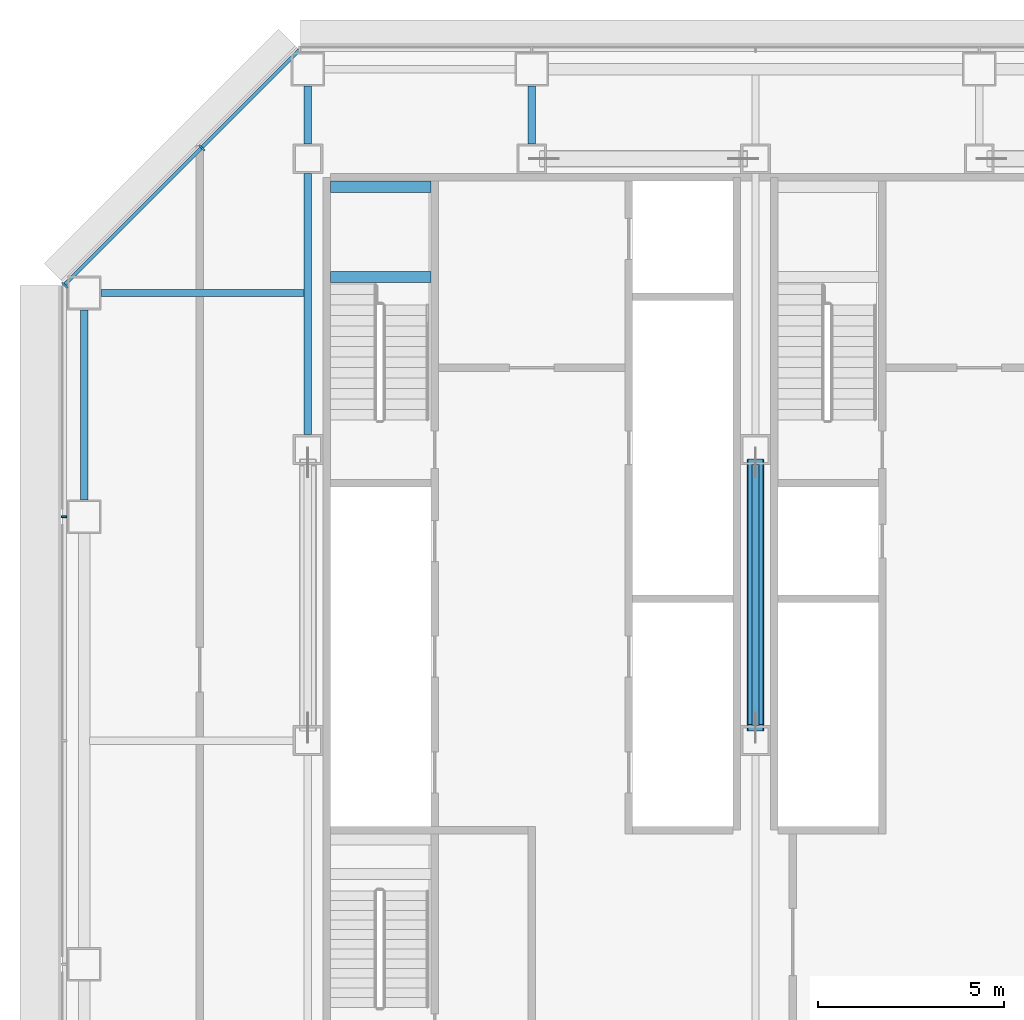
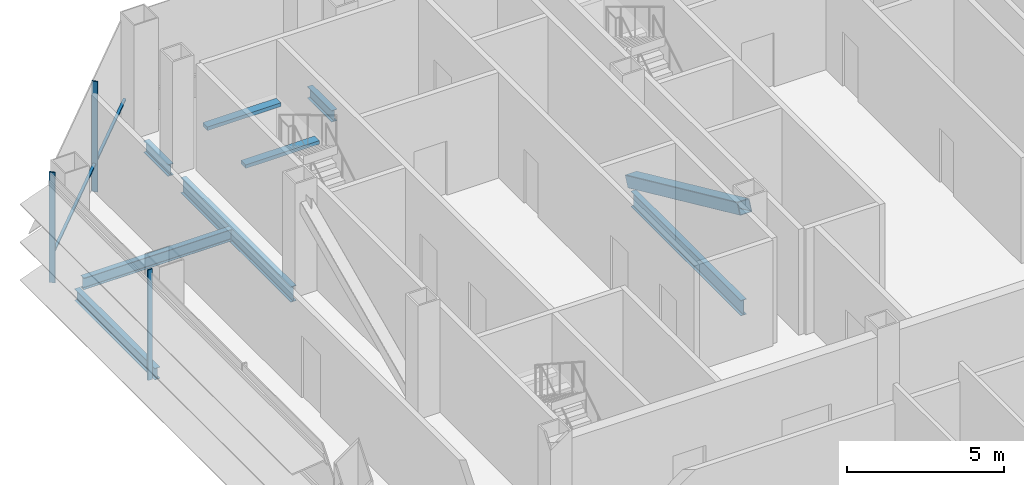
# One storey, part 11 of 27: 8 beams, 5 members, 2 elements without a shape of their own.
"""IFC4 building model written with IfcOpenShell, lengths in metres."""

from ifc_helpers import new_model, si_unit, direction, frame, origin, origin_2d, place, context, subcontext, project, spatial, rectangle, hollow_rectangle, i_section, extrude, material, material_profile, profile_set, type_object, element, aggregate, save


model = new_model("IFC4")

# Units and contexts
model_context = context("Model", 3, precision=1e-05, world=origin(), true_north=direction((0.0, 1.0)))
body_context = subcontext(model_context, "Body", "Model", "MODEL_VIEW")
ifc_project = project(units=[si_unit("LENGTHUNIT", "METRE"), si_unit("AREAUNIT", "SQUARE_METRE"), si_unit("VOLUMEUNIT", "CUBIC_METRE"), si_unit("PLANEANGLEUNIT", "RADIAN"), si_unit("MASSUNIT", "GRAM", prefix="KILO")], contexts=[model_context])

# Site, building, storey
site_placement = place(None, origin())
site = spatial("IfcSite", under=ifc_project, at=site_placement, CompositionType="ELEMENT")
building_placement = place(site_placement, origin())
building = spatial("IfcBuilding", under=site, at=building_placement, Name="Sorahane Residences", CompositionType="ELEMENT")
storey_placement = place(building_placement, frame((0.0, 0.0, 85.800048828125)))
storey = spatial("IfcBuildingStorey", under=building, at=storey_placement, Name="L18", CompositionType="ELEMENT", Elevation=85.800048828125)

# Member
ifc_material_1 = material(Name="Steel Q355B", Category="steel")
ifc_material_profile_1 = material_profile(ifc_material_1, hollow_rectangle(XDim=0.449951171875, YDim=0.449951171875, WallThickness=0.02197265625, InnerFilletRadius=0.010986328125, OuterFilletRadius=0.032958984375, at=origin_2d()), Name="RHS 450x450x22")
ifc_profile_set_1 = profile_set([ifc_material_profile_1], Name="Steel Q355B")
member_type_1 = type_object("IfcMemberType", Name="Core brace RHS 450x450x22 Q355B", PredefinedType="BRACE", material=ifc_profile_set_1)
member_1_placement = place(storey_placement, frame((18.0, 37.4560546875, 0.19921875), z_axis=(0.0, -0.909463007615, 0.41578484554), x_axis=(1.0, 0.0, 0.0)))
element("IfcMember", 1, at=member_1_placement, inside=storey, type_object=member_type_1, Name="Core brace L18 x18-1", PredefinedType="BRACE", context=body_context, shape_type="SweptSolid", body=[
    extrude(hollow_rectangle(XDim=0.449951171875, YDim=0.449951171875, WallThickness=0.02197265625, InnerFilletRadius=0.010986328125, OuterFilletRadius=0.032958984375, at=origin_2d()), origin(), (0.0, 0.0, 1.0), 7.820068359375),
])

# Curtain wall, member
ifc_material_2 = material(Name="Dark low-e glass and black anodised aluminium", Category="aluminium")
curtain_wall_type_1 = type_object("IfcCurtainWallType", Name="Curtain wall CW-1 Typical unitised wall", PredefinedType="NOTDEFINED", material=ifc_material_2)
curtain_wall_1_placement = place(storey_placement, origin())
curtain_wall_1 = element("IfcCurtainWall", 2, at=curtain_wall_1_placement, inside=storey, type_object=curtain_wall_type_1, Name="CW-1 curtain wall L18 W1", PredefinedType="NOTDEFINED")
ifc_material_3 = material(Name="Black anodised aluminium", Category="aluminium")
ifc_material_profile_2 = material_profile(ifc_material_3, rectangle(XDim=0.159912109375, YDim=0.050048828125, at=origin_2d()), Name="Curtain wall mullion CW-1 black anodised aluminium 50x160")
ifc_profile_set_2 = profile_set([ifc_material_profile_2], Name="Black anodised aluminium")
member_type_2 = type_object("IfcMemberType", Name="Curtain wall mullion CW-1 black anodised aluminium 50x160", PredefinedType="MULLION", material=ifc_profile_set_2)
member_2_placement = place(storey_placement, frame((-0.5400390625, 36.0, -0.179931640625), z_axis=(0.0, 0.0, 1.0), x_axis=(-1.0, 0.0, 0.0)))
member_2 = element("IfcMember", 3, at=member_2_placement, type_object=member_type_2, Name="CW-1 mullion L18 W1.2", PredefinedType="MULLION", context=body_context, shape_type="SweptSolid", body=[
    extrude(rectangle(XDim=0.159912109375, YDim=0.050048828125, at=origin_2d()), origin(), (0.0, 0.0, 1.0), 4.27978515625),
])
aggregate(curtain_wall_1, [member_2])

# Curtain wall, members
ifc_material_4 = material(Name="Dark low-e glass and black anodised aluminium", Category="aluminium")
curtain_wall_type_2 = type_object("IfcCurtainWallType", Name="Curtain wall CW-2 Chamfer unitised wall", PredefinedType="NOTDEFINED", material=ifc_material_4)
curtain_wall_2_placement = place(storey_placement, origin())
curtain_wall_2 = element("IfcCurtainWall", 4, at=curtain_wall_2_placement, inside=storey, type_object=curtain_wall_type_2, Name="CW-2 curtain wall L18 NW1", PredefinedType="NOTDEFINED")
ifc_material_5 = material(Name="Black anodised aluminium", Category="aluminium")
ifc_material_profile_3 = material_profile(ifc_material_5, rectangle(XDim=0.199951171875, YDim=0.050048828125, at=origin_2d()), Name="Curtain wall mullion CW-2 black anodised aluminium 50x200")
ifc_profile_set_3 = profile_set([ifc_material_profile_3], Name="Black anodised aluminium")
member_type_3 = type_object("IfcMemberType", Name="Curtain wall mullion CW-2 black anodised aluminium 50x200", PredefinedType="MULLION", material=ifc_profile_set_3)
member_3_placement = place(storey_placement, frame((3.15673828125, 45.89208984375, -0.179931640625), z_axis=(0.0, 0.0, 1.0), x_axis=(-0.707106781187, 0.707106781187, 0.0)))
member_3 = element("IfcMember", 5, at=member_3_placement, type_object=member_type_3, Name="CW-2 mullion L18 NW1.2", PredefinedType="MULLION", context=body_context, shape_type="SweptSolid", body=[
    extrude(rectangle(XDim=0.199951171875, YDim=0.050048828125, at=origin_2d()), origin(), (0.0, 0.0, 1.0), 4.27978515625),
])
member_4_placement = place(storey_placement, frame((-0.525634765625, 42.209716796875, -0.179931640625), z_axis=(0.0, 0.0, 1.0), x_axis=(-0.707106781187, 0.707106781187, 0.0)))
member_4 = element("IfcMember", 6, at=member_4_placement, type_object=member_type_3, Name="CW-2 mullion L18 NW1.3", PredefinedType="MULLION", context=body_context, shape_type="SweptSolid", body=[
    extrude(rectangle(XDim=0.199951171875, YDim=0.050048828125, at=origin_2d()), origin(), (0.0, 0.0, 1.0), 4.27978515625),
])
ifc_material_6 = material(Name="Black anodised aluminium", Category="aluminium")
ifc_material_profile_4 = material_profile(ifc_material_6, rectangle(XDim=0.10009765625, YDim=0.06005859375, at=origin_2d()), Name="Curtain wall transom CW-2 black anodised aluminium 60x100")
ifc_profile_set_4 = profile_set([ifc_material_profile_4], Name="Black anodised aluminium")
member_type_4 = type_object("IfcMemberType", Name="Curtain wall transom CW-2 black anodised aluminium 60x100", PredefinedType="USERDEFINED", material=ifc_profile_set_4)
member_5_placement = place(storey_placement, frame((5.765625, 48.51513671875, 0.89990234375), z_axis=(-0.707106781187, -0.707106781187, 0.0), x_axis=(0.707106781187, -0.707106781187, 0.0)))
member_5 = element("IfcMember", 7, at=member_5_placement, type_object=member_type_4, Name="CW-2 transom L18 NW1", ObjectType="TRANSOM", PredefinedType="USERDEFINED", context=body_context, shape_type="SweptSolid", body=[
    extrude(rectangle(XDim=0.10009765625, YDim=0.06005859375, at=origin_2d()), origin(), (0.0, 0.0, 1.0), 8.88232421875),
])
aggregate(curtain_wall_2, [member_3, member_4, member_5])

# Beams
ifc_material_7 = material(Name="Concrete C40", Category="concrete")
ifc_material_profile_5 = material_profile(ifc_material_7, rectangle(XDim=0.300048828125, YDim=0.139892578125, at=origin_2d()), Name="300x140")
ifc_profile_set_5 = profile_set([ifc_material_profile_5], Name="Concrete C40")
beam_type_1 = type_object("IfcBeamType", Name="RC landing beam 300 x 140 Concrete C40", PredefinedType="BEAM", material=ifc_profile_set_5)
for number, where, z_axis, x_axis, name in (
    (8, (6.60009765625, 42.429931640625, 1.7607421875), (1.0, 0.0, 0.0), (0.0, 1.0, 0.0), "Landing beam"),
    (9, (6.60009765625, 44.85009765625, 1.7607421875), (1.0, 0.0, 0.0), (0.0, 1.0, 0.0), "Landing beam"),
):
    element("IfcBeam", number, at=place(storey_placement, frame(where, z_axis=z_axis, x_axis=x_axis)), inside=storey, type_object=beam_type_1, Name=name, PredefinedType="BEAM", context=body_context, shape_type="SweptSolid", body=[
        extrude(rectangle(XDim=0.300048828125, YDim=0.139892578125, at=origin_2d()), origin(), (0.0, 0.0, 1.0), 2.699951171875),
    ])
ifc_material_8 = material(Name="Steel Q355B", Category="steel")
ifc_material_profile_6 = material_profile(ifc_material_8, i_section(OverallWidth=0.199951171875, OverallDepth=0.449951171875, WebThickness=0.009033203125, FlangeThickness=0.013916015625, FilletRadius=0.02001953125, at=origin_2d()), Name="HN 450x200x9x14")
ifc_profile_set_6 = profile_set([ifc_material_profile_6], Name="Steel Q355B")
beam_type_2 = type_object("IfcBeamType", Name="Steel floor beam HN 450x200x9x14 Q355B", PredefinedType="BEAM", material=ifc_profile_set_6)
beam_1_placement = place(storey_placement, frame((0.0, 36.449951171875, -0.405029296875), z_axis=(0.0, 1.0, 0.0), x_axis=(-1.0, 0.0, 0.0)))
element("IfcBeam", 10, at=beam_1_placement, inside=storey, type_object=beam_type_2, Name="Beam L18 020", PredefinedType="BEAM", context=body_context, shape_type="SweptSolid", body=[
    extrude(i_section(OverallWidth=0.199951171875, OverallDepth=0.449951171875, WebThickness=0.009033203125, FlangeThickness=0.013916015625, FilletRadius=0.02001953125, at=origin_2d()), origin(), (0.0, 0.0, 1.0), 5.10009765625),
])
for number, where, z_axis, x_axis, name in (
    (11, (6.0, 46.0, -0.405029296875), (0.0, 1.0, 0.0), (-1.0, 0.0, 0.0), "Beam L18 026"),
    (12, (12.0, 46.0, -0.405029296875), (0.0, 1.0, 0.0), (-1.0, 0.0, 0.0), "Beam L18 028"),
):
    element("IfcBeam", number, at=place(storey_placement, frame(where, z_axis=z_axis, x_axis=x_axis)), inside=storey, type_object=beam_type_2, Name=name, PredefinedType="BEAM", context=body_context, shape_type="SweptSolid", body=[
        extrude(i_section(OverallWidth=0.199951171875, OverallDepth=0.449951171875, WebThickness=0.009033203125, FlangeThickness=0.013916015625, FilletRadius=0.02001953125, at=origin_2d()), origin(), (0.0, 0.0, 1.0), 1.550048828125),
    ])
beam_2_placement = place(storey_placement, frame((0.449951171875, 42.0, -0.405029296875), z_axis=(1.0, 0.0, 0.0), x_axis=(0.0, 1.0, 0.0)))
element("IfcBeam", 13, at=beam_2_placement, inside=storey, type_object=beam_type_2, Name="Beam L18 079", PredefinedType="BEAM", context=body_context, shape_type="SweptSolid", body=[
    extrude(i_section(OverallWidth=0.199951171875, OverallDepth=0.449951171875, WebThickness=0.009033203125, FlangeThickness=0.013916015625, FilletRadius=0.02001953125, at=origin_2d()), origin(), (0.0, 0.0, 1.0), 5.449951171875),
])
ifc_material_9 = material(Name="Steel Q355B", Category="steel")
ifc_material_profile_7 = material_profile(ifc_material_9, i_section(OverallWidth=0.199951171875, OverallDepth=0.60009765625, WebThickness=0.010986328125, FlangeThickness=0.01708984375, FilletRadius=0.02392578125, at=origin_2d()), Name="HN 600x200x11x17")
ifc_profile_set_7 = profile_set([ifc_material_profile_7], Name="Steel Q355B")
beam_type_3 = type_object("IfcBeamType", Name="Steel floor beam HN 600x200x11x17 Q355B", PredefinedType="BEAM", material=ifc_profile_set_7)
for number, where, z_axis, x_axis, name in (
    (14, (6.0, 38.199951171875, -0.47998046875), (0.0, 1.0, 0.0), (-1.0, 0.0, 0.0), "Beam L18 025"),
    (15, (18.0, 30.39990234375, -0.47998046875), (0.0, 1.0, 0.0), (-1.0, 0.0, 0.0), "Beam L18 032"),
):
    element("IfcBeam", number, at=place(storey_placement, frame(where, z_axis=z_axis, x_axis=x_axis)), inside=storey, type_object=beam_type_3, Name=name, PredefinedType="BEAM", context=body_context, shape_type="SweptSolid", body=[
        extrude(i_section(OverallWidth=0.199951171875, OverallDepth=0.60009765625, WebThickness=0.010986328125, FlangeThickness=0.01708984375, FilletRadius=0.02392578125, at=origin_2d()), origin(), (0.0, 0.0, 1.0), 7.0),
    ])

save(model, "model.ifc")
